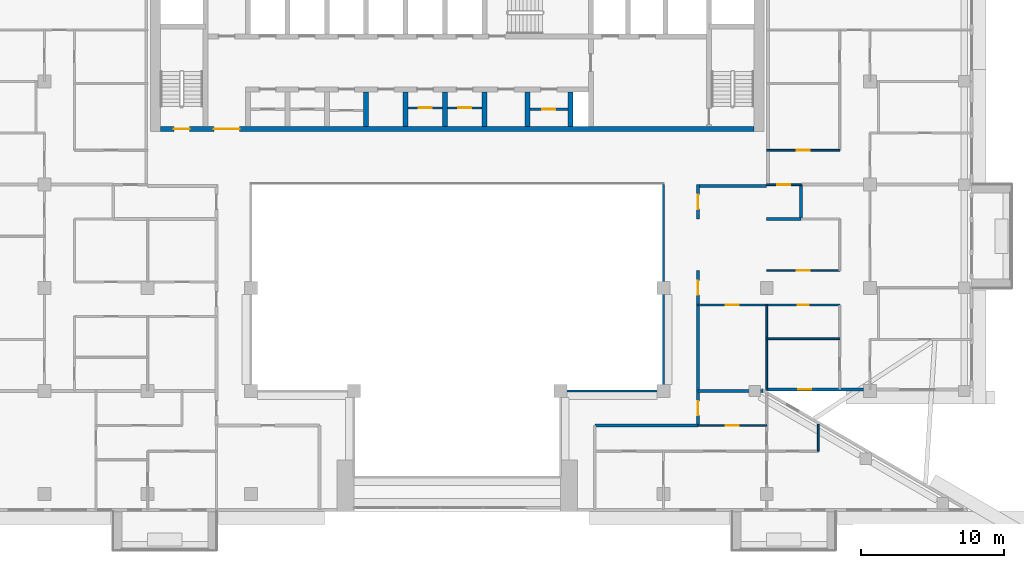
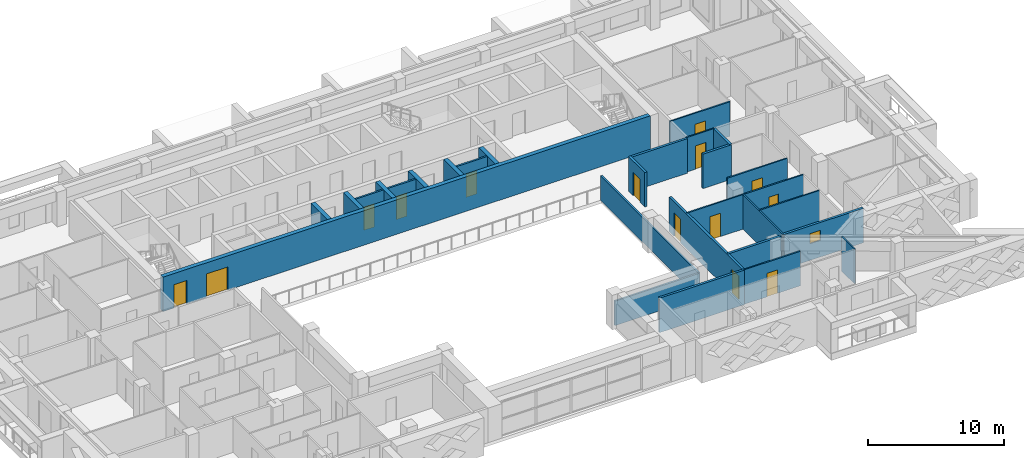
# One storey, part 9 of 20: 28 walls, 14 doors, 1 window, 15 openings.
"""IFC4 building model written with IfcOpenShell, lengths in metres."""

from ifc_helpers import new_model, si_unit, direction, frame, frame_2d, origin, place, context, subcontext, project, spatial, rectangle, extrude, material, layer, layer_set, type_object, element, fill, save


model = new_model("IFC4")

# Units and contexts
model_context = context("Model", 3, precision=1e-05, world=origin(), true_north=direction((0.0, 1.0)))
body_context = subcontext(model_context, "Body", "Model", "MODEL_VIEW")
ifc_project = project(units=[si_unit("LENGTHUNIT", "METRE"), si_unit("AREAUNIT", "SQUARE_METRE"), si_unit("VOLUMEUNIT", "CUBIC_METRE"), si_unit("PLANEANGLEUNIT", "RADIAN"), si_unit("MASSUNIT", "GRAM", prefix="KILO")], contexts=[model_context])

# Site, building, storey
site_placement = place(None, origin())
site = spatial("IfcSite", under=ifc_project, at=site_placement, CompositionType="ELEMENT")
building_placement = place(site_placement, origin())
building = spatial("IfcBuilding", under=site, at=building_placement, Name="Saffron Iwan Residences", CompositionType="ELEMENT")
storey_placement = place(building_placement, frame((0.0, 0.0, 202.5)))
storey = spatial("IfcBuildingStorey", under=building, at=storey_placement, Name="L54", CompositionType="ELEMENT", Elevation=202.5)

# Walls
ifc_material_1 = material(Name="Fire-rated glazing", Category="glass")
ifc_layer_1 = layer(ifc_material_1, 0.14990234375)
ifc_layer_set_1 = layer_set([ifc_layer_1], Name="Fire-rated glazing")
wall_type_1 = type_object("IfcWallType", Name="Atrium glazed screen 150", PredefinedType="SOLIDWALL", material=ifc_layer_set_1)
wall_1_placement = place(storey_placement, frame((57.60009765625, 48.0, 0.0), z_axis=(0.0, 0.0, 1.0), x_axis=(1.0, 0.0, 0.0)))
element("IfcWall", 1, at=wall_1_placement, inside=storey, type_object=wall_type_1, Name="W-L54-SCREEN-h48-57.6", PredefinedType="SOLIDWALL", context=body_context, shape_type="SweptSolid", body=[
    extrude(rectangle(XDim=7.199951171875, YDim=0.14990234375, at=frame_2d((3.60009765625, 0.0))), origin(), (0.0, 0.0, 1.0), 2.199951171875),
])
wall_2_placement = place(storey_placement, frame((64.800048828125, 48.0, 0.0), z_axis=(0.0, 0.0, 1.0), x_axis=(0.0, 1.0, 0.0)))
element("IfcWall", 2, at=wall_2_placement, inside=storey, type_object=wall_type_1, Name="W-L54-SCREEN-v64.8-48", PredefinedType="SOLIDWALL", context=body_context, shape_type="SweptSolid", body=[
    extrude(rectangle(XDim=14.39990234375, YDim=0.14990234375, at=frame_2d((7.199951171875, 0.0))), origin(), (0.0, 0.0, 1.0), 2.199951171875),
])

# Wall, opening, door
ifc_material_2 = material(Name="Fire-rated plasterboard partition")
ifc_layer_2 = layer(ifc_material_2, 0.14990234375)
ifc_layer_set_2 = layer_set([ifc_layer_2], Name="Fire-rated plasterboard partition")
wall_type_2 = type_object("IfcWallType", Name="Core partition 150", PredefinedType="PARTITIONING", material=ifc_layer_set_2)
wall_3_placement = place(storey_placement, frame((46.97509765625, 67.759521484375, 0.0), z_axis=(0.0, 0.0, 1.0), x_axis=(1.0, 0.0, 0.0)))
wall_3 = element("IfcWall", 3, at=wall_3_placement, inside=storey, type_object=wall_type_2, Name="Core partition P04", PredefinedType="PARTITIONING", context=body_context, shape_type="SweptSolid", body=[
    extrude(rectangle(XDim=2.39990234375, YDim=0.14990234375, at=frame_2d((1.199951171875, 0.0))), origin(), (0.0, 0.0, 1.0), 3.10009765625),
])
opening_1_placement = place(wall_3_placement, frame((0.75, 0.0, 0.0)))
opening_1 = element("IfcOpeningElement", 4, at=opening_1_placement, cuts=wall_3, Name="Opening SB", PredefinedType="OPENING", context=body_context, shape_type="SweptSolid", body=[
    extrude(rectangle(XDim=0.89990234375, YDim=2.10009765625, at=frame_2d((0.449951171875, 1.050048828125))), frame((0.0, 0.0849609375, 0.0), z_axis=(0.0, -1.0, 0.0), x_axis=(1.0, 0.0, 0.0)), (0.0, 0.0, 1.0), 0.169921875),
])
ifc_material_3 = material(Name="Steel fire door", Category="steel")
door_type_1 = type_object("IfcDoorType", Name="Store door 900", OperationType="NOTDEFINED", PredefinedType="DOOR", material=ifc_material_3)
door_1_placement = place(opening_1_placement, origin())
door_1 = element("IfcDoor", 5, at=door_1_placement, inside=storey, type_object=door_type_1, Name="Door Tool store", OperationType="SINGLE_SWING_LEFT", OverallHeight=2.10009765625, OverallWidth=0.89990234375, PredefinedType="DOOR", context=body_context, shape_type="SweptSolid", body=[
    extrude(rectangle(XDim=0.89990234375, YDim=2.10009765625, at=frame_2d((0.449951171875, 1.050048828125))), frame((0.0, 0.02490234375, 0.0), z_axis=(0.0, -1.0, 0.0), x_axis=(1.0, 0.0, 0.0)), (0.0, 0.0, 1.0), 0.050048828125),
])
fill(opening_1, door_1)

wall_4_placement = place(storey_placement, frame((49.72509765625, 67.759521484375, 0.0), z_axis=(0.0, 0.0, 1.0), x_axis=(1.0, 0.0, 0.0)))
wall_4 = element("IfcWall", 6, at=wall_4_placement, inside=storey, type_object=wall_type_2, Name="Core partition P05", PredefinedType="PARTITIONING", context=body_context, shape_type="SweptSolid", body=[
    extrude(rectangle(XDim=2.39990234375, YDim=0.14990234375, at=frame_2d((1.199951171875, 0.0))), origin(), (0.0, 0.0, 1.0), 3.10009765625),
])
opening_2_placement = place(wall_4_placement, frame((0.75, 0.0, 0.0)))
opening_2 = element("IfcOpeningElement", 7, at=opening_2_placement, cuts=wall_4, Name="Opening SB", PredefinedType="OPENING", context=body_context, shape_type="SweptSolid", body=[
    extrude(rectangle(XDim=0.89990234375, YDim=2.10009765625, at=frame_2d((0.449951171875, 1.050048828125))), frame((0.0, 0.0849609375, 0.0), z_axis=(0.0, -1.0, 0.0), x_axis=(1.0, 0.0, 0.0)), (0.0, 0.0, 1.0), 0.169921875),
])
door_2_placement = place(opening_2_placement, origin())
door_2 = element("IfcDoor", 8, at=door_2_placement, inside=storey, type_object=door_type_1, Name="Door Cabling room", OperationType="SINGLE_SWING_RIGHT", OverallHeight=2.10009765625, OverallWidth=0.89990234375, PredefinedType="DOOR", context=body_context, shape_type="SweptSolid", body=[
    extrude(rectangle(XDim=0.89990234375, YDim=2.10009765625, at=frame_2d((0.449951171875, 1.050048828125))), frame((0.0, 0.02490234375, 0.0), z_axis=(0.0, -1.0, 0.0), x_axis=(1.0, 0.0, 0.0)), (0.0, 0.0, 1.0), 0.050048828125),
])
fill(opening_2, door_2)

wall_5_placement = place(storey_placement, frame((55.47509765625, 67.66259765625, 0.0), z_axis=(0.0, 0.0, 1.0), x_axis=(1.0, 0.0, 0.0)))
wall_5 = element("IfcWall", 9, at=wall_5_placement, inside=storey, type_object=wall_type_2, Name="Core partition P06", PredefinedType="PARTITIONING", context=body_context, shape_type="SweptSolid", body=[
    extrude(rectangle(XDim=2.64990234375, YDim=0.14990234375, at=frame_2d((1.324951171875, 0.0))), origin(), (0.0, 0.0, 1.0), 3.10009765625),
])
opening_3_placement = place(wall_5_placement, frame((0.875, 0.0, 0.0)))
opening_3 = element("IfcOpeningElement", 10, at=opening_3_placement, cuts=wall_5, Name="Opening SB", PredefinedType="OPENING", context=body_context, shape_type="SweptSolid", body=[
    extrude(rectangle(XDim=0.89990234375, YDim=2.10009765625, at=frame_2d((0.449951171875, 1.050048828125))), frame((0.0, 0.0849609375, 0.0), z_axis=(0.0, -1.0, 0.0), x_axis=(1.0, 0.0, 0.0)), (0.0, 0.0, 1.0), 0.169921875),
])
door_3_placement = place(opening_3_placement, origin())
door_3 = element("IfcDoor", 11, at=door_3_placement, inside=storey, type_object=door_type_1, Name="Door Records store", OperationType="SINGLE_SWING_LEFT", OverallHeight=2.10009765625, OverallWidth=0.89990234375, PredefinedType="DOOR", context=body_context, shape_type="SweptSolid", body=[
    extrude(rectangle(XDim=0.89990234375, YDim=2.10009765625, at=frame_2d((0.449951171875, 1.050048828125))), frame((0.0, 0.02490234375, 0.0), z_axis=(0.0, -1.0, 0.0), x_axis=(1.0, 0.0, 0.0)), (0.0, 0.0, 1.0), 0.050048828125),
])
fill(opening_3, door_3)

# Wall, opening, window
ifc_material_4 = material(Name="Concrete C40/50", Category="concrete")
ifc_layer_3 = layer(ifc_material_4, 0.199951171875)
ifc_layer_set_3 = layer_set([ifc_layer_3], Name="Concrete C40/50")
wall_type_3 = type_object("IfcWallType", Name="EXTERNAL WALL 200", PredefinedType="SOLIDWALL", material=ifc_layer_set_3)
wall_6_placement = place(storey_placement, frame((71.989990234375, 48.10009765625, 0.0), z_axis=(0.0, 0.0, 1.0), x_axis=(1.0, 0.0, 0.0)))
wall_6 = element("IfcWall", 12, at=wall_6_placement, inside=storey, type_object=wall_type_3, Name="External wall L54 F1.0", PredefinedType="SOLIDWALL", context=body_context, shape_type="SweptSolid", body=[
    extrude(rectangle(XDim=6.760009765625, YDim=0.199951171875, at=frame_2d((3.3798828125, 0.0))), origin(), (0.0, 0.0, 1.0), 3.10009765625),
])
opening_4_placement = place(wall_6_placement, frame((2.204833984375, 0.0, 1.5)))
opening_4 = element("IfcOpeningElement", 13, at=opening_4_placement, cuts=wall_6, Name="Opening W6", PredefinedType="OPENING", context=body_context, shape_type="SweptSolid", body=[
    extrude(rectangle(XDim=0.89990234375, YDim=0.89990234375, at=frame_2d((0.449951171875, 0.449951171875))), frame((0.0, 0.10986328125, 0.0), z_axis=(0.0, -1.0, 0.0), x_axis=(1.0, 0.0, 0.0)), (0.0, 0.0, 1.0), 0.219970703125),
])
ifc_material_5 = material(Name="Clear glass, laminated double glazed", Category="glass")
window_type = type_object("IfcWindowType", Name="WINDOW 900 x 900 BATH", PartitioningType="SINGLE_PANEL", PredefinedType="WINDOW", material=ifc_material_5)
window_placement = place(opening_4_placement, origin())
window = element("IfcWindow", 14, at=window_placement, inside=storey, type_object=window_type, Name="Window L54 F1.0", OverallHeight=0.89990234375, OverallWidth=0.89990234375, PartitioningType="SINGLE_PANEL", PredefinedType="WINDOW", context=body_context, shape_type="SweptSolid", body=[
    extrude(rectangle(XDim=0.89990234375, YDim=0.89990234375, at=frame_2d((0.449951171875, 0.449951171875))), frame((0.0, 0.030029296875, 0.0), z_axis=(0.0, -1.0, 0.0), x_axis=(1.0, 0.0, 0.0)), (0.0, 0.0, 1.0), 0.06005859375),
])
fill(opening_4, window)

# Walls
ifc_material_6 = material(Name="Fire-rated gypsum board wall")
ifc_layer_4 = layer(ifc_material_6, 0.199951171875)
ifc_layer_set_4 = layer_set([ifc_layer_4], Name="Fire-rated gypsum board wall")
wall_type_4 = type_object("IfcWallType", Name="Flat demising wall 200", PredefinedType="SOLIDWALL", material=ifc_layer_set_4)
wall_7_placement = place(storey_placement, frame((67.199951171875, 48.0, 0.0), z_axis=(0.0, 0.0, 1.0), x_axis=(1.0, 0.0, 0.0)))
element("IfcWall", 15, at=wall_7_placement, inside=storey, type_object=wall_type_4, Name="W-L54-DEMISE-h48-67.2", PredefinedType="SOLIDWALL", context=body_context, shape_type="SweptSolid", body=[
    extrude(rectangle(XDim=4.552001953125, YDim=0.199951171875, at=frame_2d((2.27587890625, 0.0))), origin(), (0.0, 0.0, 1.0), 3.10009765625),
])
for number, where, z_axis, x_axis, name in (
    (16, (72.0, 60.0, 0.0), (0.0, 0.0, 1.0), (1.0, 0.0, 0.0), "W-L54-DEMISE-h60-72"),
    (17, (74.39990234375, 60.0, 0.0), (0.0, 0.0, 1.0), (0.0, 1.0, 0.0), "W-L54-DEMISE-v74.4-60"),
):
    element("IfcWall", number, at=place(storey_placement, frame(where, z_axis=z_axis, x_axis=x_axis)), inside=storey, type_object=wall_type_4, Name=name, PredefinedType="SOLIDWALL", context=body_context, shape_type="SweptSolid", body=[
        extrude(rectangle(XDim=2.39990234375, YDim=0.199951171875, at=frame_2d((1.199951171875, 0.0))), origin(), (0.0, 0.0, 1.0), 3.10009765625),
    ])

# Wall, opening, door
ifc_material_7 = material(Name="Gypsum board partition")
ifc_layer_5 = layer(ifc_material_7, 0.1201171875)
ifc_layer_set_5 = layer_set([ifc_layer_5], Name="Gypsum board partition")
wall_type_5 = type_object("IfcWallType", Name="Flat partition 120", PredefinedType="PARTITIONING", material=ifc_layer_set_5)
wall_8_placement = place(storey_placement, frame((67.199951171875, 45.60009765625, 0.0), z_axis=(0.0, 0.0, 1.0), x_axis=(1.0, 0.0, 0.0)))
wall_8 = element("IfcWall", 18, at=wall_8_placement, inside=storey, type_object=wall_type_5, Name="W-L54-PART-h45.6-67.2", PredefinedType="PARTITIONING", context=body_context, shape_type="SweptSolid", body=[
    extrude(rectangle(XDim=4.800048828125, YDim=0.1201171875, at=frame_2d((2.39990234375, 0.0))), origin(), (0.0, 0.0, 1.0), 3.10009765625),
])
opening_5_placement = place(wall_8_placement, frame((1.949951171875, 0.0, 0.0)))
opening_5 = element("IfcOpeningElement", 19, at=opening_5_placement, cuts=wall_8, Name="Opening FD2", PredefinedType="OPENING", context=body_context, shape_type="SweptSolid", body=[
    extrude(rectangle(XDim=0.89990234375, YDim=2.10009765625, at=frame_2d((0.449951171875, 1.050048828125))), frame((0.0, 0.070068359375, 0.0), z_axis=(0.0, -1.0, 0.0), x_axis=(1.0, 0.0, 0.0)), (0.0, 0.0, 1.0), 0.14013671875),
])
ifc_material_8 = material(Name="Timber door", Category="wood")
door_type_2 = type_object("IfcDoorType", Name="Flat door 900", OperationType="NOTDEFINED", PredefinedType="DOOR", material=ifc_material_8)
door_4_placement = place(opening_5_placement, origin())
door_4 = element("IfcDoor", 20, at=door_4_placement, inside=storey, type_object=door_type_2, Name="Door L54-041", OperationType="SINGLE_SWING_LEFT", OverallHeight=2.10009765625, OverallWidth=0.89990234375, PredefinedType="DOOR", context=body_context, shape_type="SweptSolid", body=[
    extrude(rectangle(XDim=0.89990234375, YDim=2.10009765625, at=frame_2d((0.449951171875, 1.050048828125))), frame((0.0, 0.02490234375, 0.0), z_axis=(0.0, -1.0, 0.0), x_axis=(1.0, 0.0, 0.0)), (0.0, 0.0, 1.0), 0.050048828125),
])
fill(opening_5, door_4)

# Wall
wall_9_placement = place(storey_placement, frame((72.0, 51.64990234375, 0.0), z_axis=(0.0, 0.0, 1.0), x_axis=(1.0, 0.0, 0.0)))
element("IfcWall", 21, at=wall_9_placement, inside=storey, type_object=wall_type_5, Name="W-L54-PART-h51.65-72", PredefinedType="PARTITIONING", context=body_context, shape_type="SweptSolid", body=[
    extrude(rectangle(XDim=5.10009765625, YDim=0.1201171875, at=frame_2d((2.550048828125, 0.0))), origin(), (0.0, 0.0, 1.0), 3.10009765625),
])

# Wall, openings, doors
wall_10_placement = place(storey_placement, frame((67.199951171875, 54.0, 0.0), z_axis=(0.0, 0.0, 1.0), x_axis=(1.0, 0.0, 0.0)))
wall_10 = element("IfcWall", 22, at=wall_10_placement, inside=storey, type_object=wall_type_5, Name="W-L54-PART-h54-67.2", PredefinedType="PARTITIONING", context=body_context, shape_type="SweptSolid", body=[
    extrude(rectangle(XDim=9.900146484375, YDim=0.1201171875, at=frame_2d((4.9501953125, 0.0))), origin(), (0.0, 0.0, 1.0), 3.10009765625),
])
opening_6_placement = place(wall_10_placement, frame((6.949951171875, 0.0, 0.0)))
opening_6 = element("IfcOpeningElement", 23, at=opening_6_placement, cuts=wall_10, Name="Opening FD3", PredefinedType="OPENING", context=body_context, shape_type="SweptSolid", body=[
    extrude(rectangle(XDim=0.800048828125, YDim=2.10009765625, at=frame_2d((0.39990234375, 1.050048828125))), frame((0.0, 0.070068359375, 0.0), z_axis=(0.0, -1.0, 0.0), x_axis=(1.0, 0.0, 0.0)), (0.0, 0.0, 1.0), 0.14013671875),
])
opening_7_placement = place(wall_10_placement, frame((1.949951171875, 0.0, 0.0)))
opening_7 = element("IfcOpeningElement", 24, at=opening_7_placement, cuts=wall_10, Name="Opening FD2", PredefinedType="OPENING", context=body_context, shape_type="SweptSolid", body=[
    extrude(rectangle(XDim=0.89990234375, YDim=2.10009765625, at=frame_2d((0.449951171875, 1.050048828125))), frame((0.0, 0.070068359375, 0.0), z_axis=(0.0, -1.0, 0.0), x_axis=(1.0, 0.0, 0.0)), (0.0, 0.0, 1.0), 0.14013671875),
])
door_type_3 = type_object("IfcDoorType", Name="Bathroom door 800", OperationType="NOTDEFINED", PredefinedType="DOOR", material=ifc_material_8)
door_5_placement = place(opening_6_placement, origin())
door_5 = element("IfcDoor", 25, at=door_5_placement, inside=storey, type_object=door_type_3, Name="Door L54-021", OperationType="SINGLE_SWING_LEFT", OverallHeight=2.10009765625, OverallWidth=0.800048828125, PredefinedType="DOOR", context=body_context, shape_type="SweptSolid", body=[
    extrude(rectangle(XDim=0.800048828125, YDim=2.10009765625, at=frame_2d((0.39990234375, 1.050048828125))), frame((0.0, 0.02490234375, 0.0), z_axis=(0.0, -1.0, 0.0), x_axis=(1.0, 0.0, 0.0)), (0.0, 0.0, 1.0), 0.050048828125),
])
fill(opening_6, door_5)
door_6_placement = place(opening_7_placement, origin())
door_6 = element("IfcDoor", 26, at=door_6_placement, inside=storey, type_object=door_type_2, Name="Door L54-023", OperationType="SINGLE_SWING_LEFT", OverallHeight=2.10009765625, OverallWidth=0.89990234375, PredefinedType="DOOR", context=body_context, shape_type="SweptSolid", body=[
    extrude(rectangle(XDim=0.89990234375, YDim=2.10009765625, at=frame_2d((0.449951171875, 1.050048828125))), frame((0.0, 0.02490234375, 0.0), z_axis=(0.0, -1.0, 0.0), x_axis=(1.0, 0.0, 0.0)), (0.0, 0.0, 1.0), 0.050048828125),
])
fill(opening_7, door_6)

# Wall, opening, door
wall_11_placement = place(storey_placement, frame((72.0, 56.39990234375, 0.0), z_axis=(0.0, 0.0, 1.0), x_axis=(1.0, 0.0, 0.0)))
wall_11 = element("IfcWall", 27, at=wall_11_placement, inside=storey, type_object=wall_type_5, Name="W-L54-PART-h56.4-72", PredefinedType="PARTITIONING", context=body_context, shape_type="SweptSolid", body=[
    extrude(rectangle(XDim=5.10009765625, YDim=0.1201171875, at=frame_2d((2.550048828125, 0.0))), origin(), (0.0, 0.0, 1.0), 3.10009765625),
])
opening_8_placement = place(wall_11_placement, frame((2.10009765625, 0.0, 0.0)))
opening_8 = element("IfcOpeningElement", 28, at=opening_8_placement, cuts=wall_11, Name="Opening FD2", PredefinedType="OPENING", context=body_context, shape_type="SweptSolid", body=[
    extrude(rectangle(XDim=0.89990234375, YDim=2.10009765625, at=frame_2d((0.449951171875, 1.050048828125))), frame((0.0, 0.070068359375, 0.0), z_axis=(0.0, -1.0, 0.0), x_axis=(1.0, 0.0, 0.0)), (0.0, 0.0, 1.0), 0.14013671875),
])
door_7_placement = place(opening_8_placement, origin())
door_7 = element("IfcDoor", 29, at=door_7_placement, inside=storey, type_object=door_type_2, Name="Door L54-022", OperationType="SINGLE_SWING_RIGHT", OverallHeight=2.10009765625, OverallWidth=0.89990234375, PredefinedType="DOOR", context=body_context, shape_type="SweptSolid", body=[
    extrude(rectangle(XDim=0.89990234375, YDim=2.10009765625, at=frame_2d((0.449951171875, 1.050048828125))), frame((0.0, 0.02490234375, 0.0), z_axis=(0.0, -1.0, 0.0), x_axis=(1.0, 0.0, 0.0)), (0.0, 0.0, 1.0), 0.050048828125),
])
fill(opening_8, door_7)

wall_12_placement = place(storey_placement, frame((72.0, 62.39990234375, 0.0), z_axis=(0.0, 0.0, 1.0), x_axis=(1.0, 0.0, 0.0)))
wall_12 = element("IfcWall", 30, at=wall_12_placement, inside=storey, type_object=wall_type_5, Name="W-L54-PART-h62.4-72", PredefinedType="PARTITIONING", context=body_context, shape_type="SweptSolid", body=[
    extrude(rectangle(XDim=2.39990234375, YDim=0.1201171875, at=frame_2d((1.199951171875, 0.0))), origin(), (0.0, 0.0, 1.0), 3.10009765625),
])
opening_9_placement = place(wall_12_placement, frame((0.75, 0.0, 0.0)))
opening_9 = element("IfcOpeningElement", 31, at=opening_9_placement, cuts=wall_12, Name="Opening FD2", PredefinedType="OPENING", context=body_context, shape_type="SweptSolid", body=[
    extrude(rectangle(XDim=0.89990234375, YDim=2.10009765625, at=frame_2d((0.449951171875, 1.050048828125))), frame((0.0, 0.070068359375, 0.0), z_axis=(0.0, -1.0, 0.0), x_axis=(1.0, 0.0, 0.0)), (0.0, 0.0, 1.0), 0.14013671875),
])
door_8_placement = place(opening_9_placement, origin())
door_8 = element("IfcDoor", 32, at=door_8_placement, inside=storey, type_object=door_type_2, Name="Door L54-032", OperationType="SINGLE_SWING_LEFT", OverallHeight=2.10009765625, OverallWidth=0.89990234375, PredefinedType="DOOR", context=body_context, shape_type="SweptSolid", body=[
    extrude(rectangle(XDim=0.89990234375, YDim=2.10009765625, at=frame_2d((0.449951171875, 1.050048828125))), frame((0.0, 0.02490234375, 0.0), z_axis=(0.0, -1.0, 0.0), x_axis=(1.0, 0.0, 0.0)), (0.0, 0.0, 1.0), 0.050048828125),
])
fill(opening_9, door_8)

wall_13_placement = place(storey_placement, frame((72.0, 64.800048828125, 0.0), z_axis=(0.0, 0.0, 1.0), x_axis=(1.0, 0.0, 0.0)))
wall_13 = element("IfcWall", 33, at=wall_13_placement, inside=storey, type_object=wall_type_5, Name="W-L54-PART-h64.8-72", PredefinedType="PARTITIONING", context=body_context, shape_type="SweptSolid", body=[
    extrude(rectangle(XDim=5.10009765625, YDim=0.1201171875, at=frame_2d((2.550048828125, 0.0))), origin(), (0.0, 0.0, 1.0), 3.10009765625),
])
opening_10_placement = place(wall_13_placement, frame((2.10009765625, 0.0, 0.0)))
opening_10 = element("IfcOpeningElement", 34, at=opening_10_placement, cuts=wall_13, Name="Opening FD2", PredefinedType="OPENING", context=body_context, shape_type="SweptSolid", body=[
    extrude(rectangle(XDim=0.89990234375, YDim=2.10009765625, at=frame_2d((0.449951171875, 1.050048828125))), frame((0.0, 0.070068359375, 0.0), z_axis=(0.0, -1.0, 0.0), x_axis=(1.0, 0.0, 0.0)), (0.0, 0.0, 1.0), 0.14013671875),
])
door_9_placement = place(opening_10_placement, origin())
door_9 = element("IfcDoor", 35, at=door_9_placement, inside=storey, type_object=door_type_2, Name="Door L54-038", OperationType="SINGLE_SWING_LEFT", OverallHeight=2.10009765625, OverallWidth=0.89990234375, PredefinedType="DOOR", context=body_context, shape_type="SweptSolid", body=[
    extrude(rectangle(XDim=0.89990234375, YDim=2.10009765625, at=frame_2d((0.449951171875, 1.050048828125))), frame((0.0, 0.02490234375, 0.0), z_axis=(0.0, -1.0, 0.0), x_axis=(1.0, 0.0, 0.0)), (0.0, 0.0, 1.0), 0.050048828125),
])
fill(opening_10, door_9)

# Walls
wall_14_placement = place(storey_placement, frame((72.0, 48.125, 0.0), z_axis=(0.0, 0.0, 1.0), x_axis=(0.0, 1.0, 0.0)))
element("IfcWall", 36, at=wall_14_placement, inside=storey, type_object=wall_type_5, Name="W-L54-PART-v72-48.125", PredefinedType="PARTITIONING", context=body_context, shape_type="SweptSolid", body=[
    extrude(rectangle(XDim=5.875, YDim=0.1201171875, at=frame_2d((2.9375, 0.0))), origin(), (0.0, 0.0, 1.0), 3.10009765625),
])
wall_15_placement = place(storey_placement, frame((75.60009765625, 43.800048828125, 0.0), z_axis=(0.0, 0.0, 1.0), x_axis=(0.0, 1.0, 0.0)))
element("IfcWall", 37, at=wall_15_placement, inside=storey, type_object=wall_type_5, Name="W-L54-PART-v75.6-43.8", PredefinedType="PARTITIONING", context=body_context, shape_type="SweptSolid", body=[
    extrude(rectangle(XDim=1.868408203125, YDim=0.1201171875, at=frame_2d((0.93408203125, 0.0))), origin(), (0.0, 0.0, 1.0), 3.10009765625),
])
ifc_layer_6 = layer(ifc_material_6, 0.199951171875)
ifc_layer_set_6 = layer_set([ifc_layer_6], Name="Fire-rated gypsum board wall")
wall_type_6 = type_object("IfcWallType", Name="Gallery wall 200", PredefinedType="SOLIDWALL", material=ifc_layer_set_6)
wall_16_placement = place(storey_placement, frame((60.0, 45.60009765625, 0.0), z_axis=(0.0, 0.0, 1.0), x_axis=(1.0, 0.0, 0.0)))
element("IfcWall", 38, at=wall_16_placement, inside=storey, type_object=wall_type_6, Name="W-L54-CORR-h45.6-60", PredefinedType="SOLIDWALL", context=body_context, shape_type="SweptSolid", body=[
    extrude(rectangle(XDim=7.199951171875, YDim=0.199951171875, at=frame_2d((3.60009765625, 0.0))), origin(), (0.0, 0.0, 1.0), 3.10009765625),
])
wall_17_placement = place(storey_placement, frame((67.199951171875, 62.300048828125, 0.0), z_axis=(0.0, 0.0, 1.0), x_axis=(1.0, 0.0, 0.0)))
element("IfcWall", 39, at=wall_17_placement, inside=storey, type_object=wall_type_6, Name="W-L54-CORR-h62.4-67.2", PredefinedType="SOLIDWALL", context=body_context, shape_type="SweptSolid", body=[
    extrude(rectangle(XDim=4.800048828125, YDim=0.199951171875, at=frame_2d((2.39990234375, 0.0))), origin(), (0.0, 0.0, 1.0), 3.10009765625),
])

# Wall, openings, doors
wall_18_placement = place(storey_placement, frame((67.199951171875, 45.60009765625, 0.0), z_axis=(0.0, 0.0, 1.0), x_axis=(0.0, 1.0, 0.0)))
wall_18 = element("IfcWall", 40, at=wall_18_placement, inside=storey, type_object=wall_type_6, Name="W-L54-CORR-v67.2-45.6", PredefinedType="SOLIDWALL", context=body_context, shape_type="SweptSolid", body=[
    extrude(rectangle(XDim=10.7998046875, YDim=0.199951171875, at=frame_2d((5.39990234375, 0.0))), origin(), (0.0, 0.0, 1.0), 3.10009765625),
])
opening_11_placement = place(wall_18_placement, frame((9.10009765625, 0.0, 0.0)))
opening_11 = element("IfcOpeningElement", 41, at=opening_11_placement, cuts=wall_18, Name="Opening FD1", PredefinedType="OPENING", context=body_context, shape_type="SweptSolid", body=[
    extrude(rectangle(XDim=1.0, YDim=2.10009765625, at=frame_2d((0.5, 1.050048828125))), frame((0.0, 0.10986328125, 0.0), z_axis=(0.0, -1.0, 0.0), x_axis=(1.0, 0.0, 0.0)), (0.0, 0.0, 1.0), 0.219970703125),
])
opening_12_placement = place(wall_18_placement, frame((0.699951171875, 0.0, 0.0)))
opening_12 = element("IfcOpeningElement", 42, at=opening_12_placement, cuts=wall_18, Name="Opening FD5", PredefinedType="OPENING", context=body_context, shape_type="SweptSolid", body=[
    extrude(rectangle(XDim=1.0, YDim=2.10009765625, at=frame_2d((0.5, 1.050048828125))), frame((0.0, 0.10986328125, 0.0), z_axis=(0.0, -1.0, 0.0), x_axis=(1.0, 0.0, 0.0)), (0.0, 0.0, 1.0), 0.219970703125),
])
ifc_material_9 = material(Name="Fire-rated timber door", Category="wood")
door_type_4 = type_object("IfcDoorType", Name="FD30S flat entrance door 1000", OperationType="NOTDEFINED", PredefinedType="DOOR", material=ifc_material_9)
door_10_placement = place(opening_11_placement, origin())
door_10 = element("IfcDoor", 43, at=door_10_placement, inside=storey, type_object=door_type_4, Name="Door L54-016", OperationType="SINGLE_SWING_RIGHT", OverallHeight=2.10009765625, OverallWidth=1.0, PredefinedType="DOOR", context=body_context, shape_type="SweptSolid", body=[
    extrude(rectangle(XDim=1.0, YDim=2.10009765625, at=frame_2d((0.5, 1.050048828125))), frame((0.0, 0.02490234375, 0.0), z_axis=(0.0, -1.0, 0.0), x_axis=(1.0, 0.0, 0.0)), (0.0, 0.0, 1.0), 0.050048828125),
])
fill(opening_11, door_10)
door_type_5 = type_object("IfcDoorType", Name="Lobby door 1000", OperationType="NOTDEFINED", PredefinedType="DOOR", material=ifc_material_9)
door_11_placement = place(opening_12_placement, origin())
door_11 = element("IfcDoor", 44, at=door_11_placement, inside=storey, type_object=door_type_5, Name="Door L54-042", OperationType="SINGLE_SWING_LEFT", OverallHeight=2.10009765625, OverallWidth=1.0, PredefinedType="DOOR", context=body_context, shape_type="SweptSolid", body=[
    extrude(rectangle(XDim=1.0, YDim=2.10009765625, at=frame_2d((0.5, 1.050048828125))), frame((0.0, 0.02490234375, 0.0), z_axis=(0.0, -1.0, 0.0), x_axis=(1.0, 0.0, 0.0)), (0.0, 0.0, 1.0), 0.050048828125),
])
fill(opening_12, door_11)

# Wall, opening, door
wall_19_placement = place(storey_placement, frame((67.199951171875, 60.0, 0.0), z_axis=(0.0, 0.0, 1.0), x_axis=(0.0, 1.0, 0.0)))
wall_19 = element("IfcWall", 45, at=wall_19_placement, inside=storey, type_object=wall_type_6, Name="W-L54-CORR-v67.2-60", PredefinedType="SOLIDWALL", context=body_context, shape_type="SweptSolid", body=[
    extrude(rectangle(XDim=2.39990234375, YDim=0.199951171875, at=frame_2d((1.199951171875, 0.0))), origin(), (0.0, 0.0, 1.0), 3.10009765625),
])
opening_13_placement = place(wall_19_placement, frame((0.699951171875, 0.0, 0.0)))
opening_13 = element("IfcOpeningElement", 46, at=opening_13_placement, cuts=wall_19, Name="Opening FD5", PredefinedType="OPENING", context=body_context, shape_type="SweptSolid", body=[
    extrude(rectangle(XDim=1.0, YDim=2.10009765625, at=frame_2d((0.5, 1.050048828125))), frame((0.0, 0.10986328125, 0.0), z_axis=(0.0, -1.0, 0.0), x_axis=(1.0, 0.0, 0.0)), (0.0, 0.0, 1.0), 0.219970703125),
])
door_12_placement = place(opening_13_placement, origin())
door_12 = element("IfcDoor", 47, at=door_12_placement, inside=storey, type_object=door_type_5, Name="Door L54-033", OperationType="SINGLE_SWING_LEFT", OverallHeight=2.10009765625, OverallWidth=1.0, PredefinedType="DOOR", context=body_context, shape_type="SweptSolid", body=[
    extrude(rectangle(XDim=1.0, YDim=2.10009765625, at=frame_2d((0.5, 1.050048828125))), frame((0.0, 0.02490234375, 0.0), z_axis=(0.0, -1.0, 0.0), x_axis=(1.0, 0.0, 0.0)), (0.0, 0.0, 1.0), 0.050048828125),
])
fill(opening_13, door_12)

# Wall, openings, doors
ifc_material_10 = material(Name="Concrete C50/60", Category="concrete")
ifc_layer_7 = layer(ifc_material_10, 0.35009765625)
ifc_layer_set_7 = layer_set([ifc_layer_7], Name="Concrete C50/60")
wall_type_7 = type_object("IfcWallType", Name="WALL CORE 350 C50/60 3100 HIGH", PredefinedType="SHEAR", material=ifc_layer_set_7)
wall_20_placement = place(storey_placement, frame((29.699951171875, 66.27490234375, 0.0), z_axis=(0.0, 0.0, 1.0), x_axis=(1.0, 0.0, 0.0)))
wall_20 = element("IfcWall", 48, at=wall_20_placement, inside=storey, type_object=wall_type_7, Name="Core wall", PredefinedType="SHEAR", context=body_context, shape_type="SweptSolid", body=[
    extrude(rectangle(XDim=41.400146484375, YDim=0.35009765625, at=frame_2d((20.7001953125, 0.0))), origin(), (0.0, 0.0, 1.0), 3.10009765625),
])
opening_14_placement = place(wall_20_placement, frame((0.925048828125, 0.0, 0.0)))
opening_14 = element("IfcOpeningElement", 49, at=opening_14_placement, cuts=wall_20, Name="Opening SD", PredefinedType="OPENING", context=body_context, shape_type="SweptSolid", body=[
    extrude(rectangle(XDim=1.10009765625, YDim=2.10009765625, at=frame_2d((0.550048828125, 1.050048828125))), frame((0.0, 0.18505859375, 0.0), z_axis=(0.0, -1.0, 0.0), x_axis=(1.0, 0.0, 0.0)), (0.0, 0.0, 1.0), 0.3701171875),
])
opening_15_placement = place(wall_20_placement, frame((3.71240234375, 0.0, 0.0)))
opening_15 = element("IfcOpeningElement", 50, at=opening_15_placement, cuts=wall_20, Name="Opening DD", PredefinedType="OPENING", context=body_context, shape_type="SweptSolid", body=[
    extrude(rectangle(XDim=1.800048828125, YDim=2.10009765625, at=frame_2d((0.89990234375, 1.050048828125))), frame((0.0, 0.18505859375, 0.0), z_axis=(0.0, -1.0, 0.0), x_axis=(1.0, 0.0, 0.0)), (0.0, 0.0, 1.0), 0.3701171875),
])
door_type_6 = type_object("IfcDoorType", Name="Lobby double door 1800", OperationType="DOUBLE_DOOR_SINGLE_SWING", PredefinedType="DOOR", material=ifc_material_3)
door_13_placement = place(opening_15_placement, origin())
door_13 = element("IfcDoor", 51, at=door_13_placement, inside=storey, type_object=door_type_6, Name="Lobby doors", OperationType="DOUBLE_DOOR_SINGLE_SWING", OverallHeight=2.10009765625, OverallWidth=1.800048828125, PredefinedType="DOOR", context=body_context, shape_type="SweptSolid", body=[
    extrude(rectangle(XDim=1.800048828125, YDim=2.10009765625, at=frame_2d((0.89990234375, 1.050048828125))), frame((0.0, 0.02490234375, 0.0), z_axis=(0.0, -1.0, 0.0), x_axis=(1.0, 0.0, 0.0)), (0.0, 0.0, 1.0), 0.050048828125),
])
fill(opening_15, door_13)
door_type_7 = type_object("IfcDoorType", Name="Stair door 1100", OperationType="NOTDEFINED", PredefinedType="DOOR", material=ifc_material_3)
door_14_placement = place(opening_14_placement, origin())
door_14 = element("IfcDoor", 52, at=door_14_placement, inside=storey, type_object=door_type_7, Name="Stair door ST-W", OperationType="SINGLE_SWING_LEFT", OverallHeight=2.10009765625, OverallWidth=1.10009765625, PredefinedType="DOOR", context=body_context, shape_type="SweptSolid", body=[
    extrude(rectangle(XDim=1.10009765625, YDim=2.10009765625, at=frame_2d((0.550048828125, 1.050048828125))), frame((0.0, 0.02490234375, 0.0), z_axis=(0.0, -1.0, 0.0), x_axis=(1.0, 0.0, 0.0)), (0.0, 0.0, 1.0), 0.050048828125),
])
fill(opening_14, door_14)

# Walls
for number, where, z_axis, x_axis, name in (
    (53, (44.050048828125, 66.449951171875, 0.0), (0.0, 0.0, 1.0), (0.0, 1.0, 0.0), "Core wall"),
    (54, (46.800048828125, 66.449951171875, 0.0), (0.0, 0.0, 1.0), (0.0, 1.0, 0.0), "Core wall"),
    (55, (49.550048828125, 66.449951171875, 0.0), (0.0, 0.0, 1.0), (0.0, 1.0, 0.0), "Core wall"),
    (56, (52.300048828125, 66.449951171875, 0.0), (0.0, 0.0, 1.0), (0.0, 1.0, 0.0), "Core wall"),
    (57, (55.300048828125, 66.449951171875, 0.0), (0.0, 0.0, 1.0), (0.0, 1.0, 0.0), "Core wall"),
    (58, (58.300048828125, 66.449951171875, 0.0), (0.0, 0.0, 1.0), (0.0, 1.0, 0.0), "Core wall"),
):
    element("IfcWall", number, at=place(storey_placement, frame(where, z_axis=z_axis, x_axis=x_axis)), inside=storey, type_object=wall_type_7, Name=name, PredefinedType="SHEAR", context=body_context, shape_type="SweptSolid", body=[
        extrude(rectangle(XDim=2.425048828125, YDim=0.35009765625, at=frame_2d((1.21240234375, 0.0))), origin(), (0.0, 0.0, 1.0), 3.10009765625),
    ])

save(model, "model.ifc")
